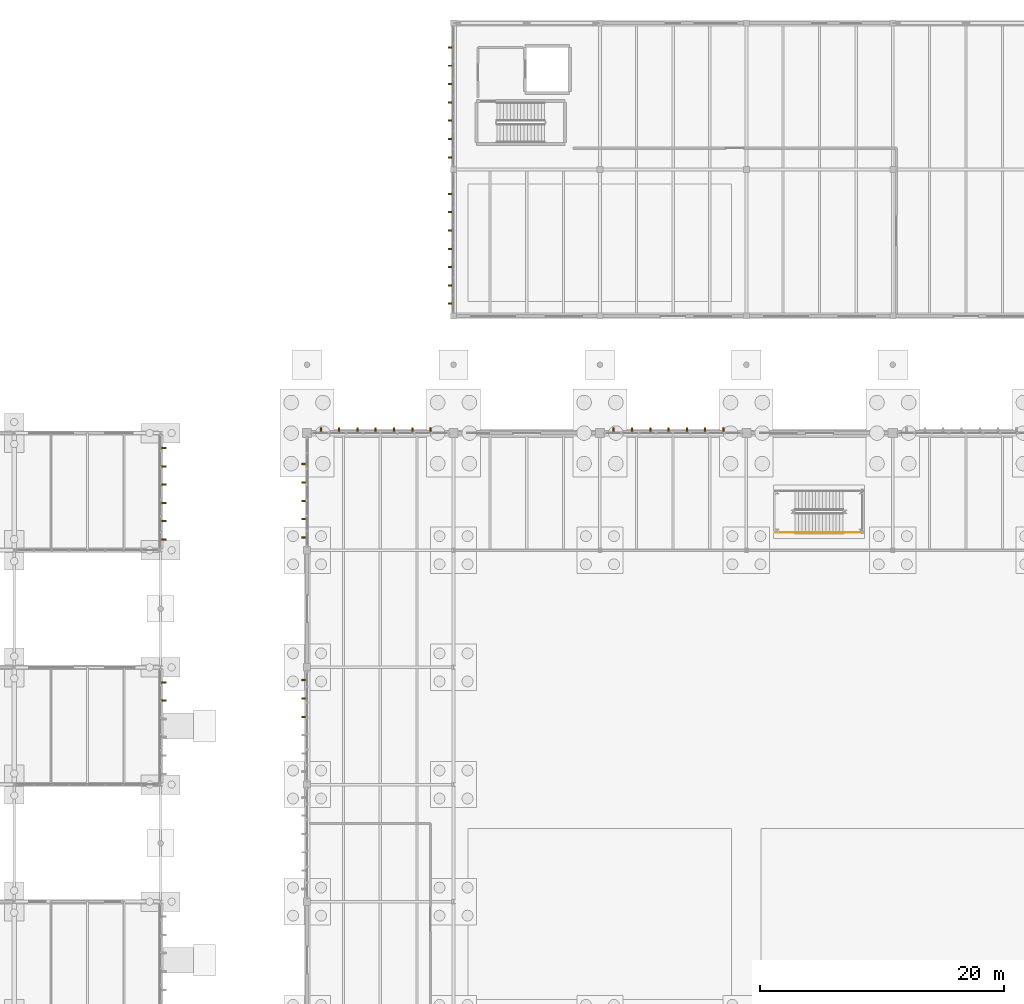
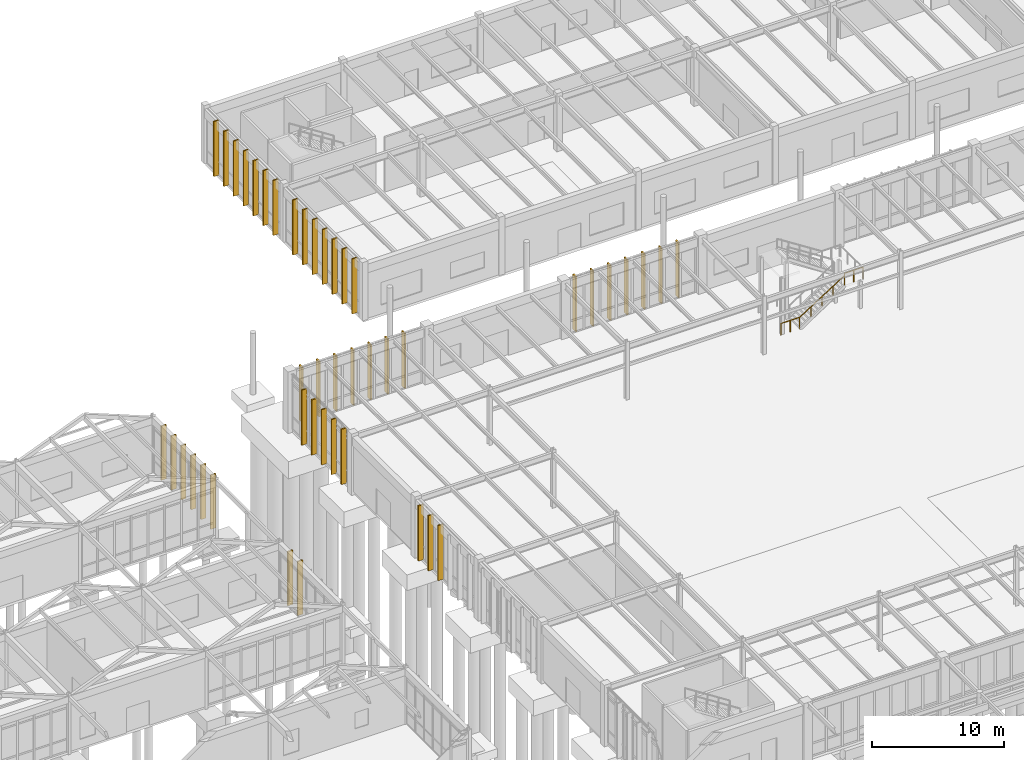
# One storey, part 177 of 188: 44 shading devices, 3 railings.
"""IFC4 building model written with IfcOpenShell, lengths in metres."""

from ifc_helpers import new_model, si_unit, direction, frame, origin, origin_2d, place, context, subcontext, project, spatial, rectangle, circle, extrude, material, type_object, element, save


model = new_model("IFC4")

# Units and contexts
model_context = context("Model", 3, precision=1e-05, world=origin(), true_north=direction((0.0, 1.0)))
body_context = subcontext(model_context, "Body", "Model", "MODEL_VIEW")
ifc_project = project(units=[si_unit("LENGTHUNIT", "METRE"), si_unit("AREAUNIT", "SQUARE_METRE"), si_unit("VOLUMEUNIT", "CUBIC_METRE"), si_unit("PLANEANGLEUNIT", "RADIAN"), si_unit("MASSUNIT", "GRAM", prefix="KILO")], contexts=[model_context])

# Site, building, storey
site_placement = place(None, origin())
site = spatial("IfcSite", under=ifc_project, at=site_placement, CompositionType="ELEMENT")
building_placement = place(site_placement, origin())
building = spatial("IfcBuilding", under=site, at=building_placement, Name="Pandanus Reach Market Hall", CompositionType="ELEMENT")
storey_placement = place(building_placement, origin())
storey = spatial("IfcBuildingStorey", under=building, at=storey_placement, Name="L00", CompositionType="ELEMENT", Elevation=0.0)

# Shading devices
ifc_material_1 = material(Name="Precast concrete S50 (50 MPa)", Category="concrete")
shading_device_type = type_object("IfcShadingDeviceType", Name="FN-S50-450", PredefinedType="JALOUSIE", material=ifc_material_1)
for number, where, z_axis, x_axis, name in (
    (1, (49.125, 86.6201171875, -0.010009765625), (0.0, 0.0, 1.0), (0.0, 1.0, 0.0), "Precast brise-soleil fin 1"),
    (2, (50.625, 86.6201171875, -0.010009765625), (0.0, 0.0, 1.0), (0.0, 1.0, 0.0), "Precast brise-soleil fin 2"),
    (3, (52.125, 86.6201171875, -0.010009765625), (0.0, 0.0, 1.0), (0.0, 1.0, 0.0), "Precast brise-soleil fin 3"),
    (4, (53.625, 86.6201171875, -0.010009765625), (0.0, 0.0, 1.0), (0.0, 1.0, 0.0), "Precast brise-soleil fin 4"),
    (5, (55.125, 86.6201171875, -0.010009765625), (0.0, 0.0, 1.0), (0.0, 1.0, 0.0), "Precast brise-soleil fin 5"),
    (6, (56.625, 86.6201171875, -0.010009765625), (0.0, 0.0, 1.0), (0.0, 1.0, 0.0), "Precast brise-soleil fin 6"),
    (7, (58.125, 86.6201171875, -0.010009765625), (0.0, 0.0, 1.0), (0.0, 1.0, 0.0), "Precast brise-soleil fin 7"),
    (8, (73.125, 86.6201171875, -0.010009765625), (0.0, 0.0, 1.0), (0.0, 1.0, 0.0), "Precast brise-soleil fin 15"),
    (9, (74.625, 86.6201171875, -0.010009765625), (0.0, 0.0, 1.0), (0.0, 1.0, 0.0), "Precast brise-soleil fin 16"),
    (10, (76.125, 86.6201171875, -0.010009765625), (0.0, 0.0, 1.0), (0.0, 1.0, 0.0), "Precast brise-soleil fin 17"),
    (11, (77.625, 86.6201171875, -0.010009765625), (0.0, 0.0, 1.0), (0.0, 1.0, 0.0), "Precast brise-soleil fin 18"),
    (12, (79.125, 86.6201171875, -0.010009765625), (0.0, 0.0, 1.0), (0.0, 1.0, 0.0), "Precast brise-soleil fin 19"),
    (13, (80.625, 86.6201171875, -0.010009765625), (0.0, 0.0, 1.0), (0.0, 1.0, 0.0), "Precast brise-soleil fin 20"),
    (14, (82.125, 86.6201171875, -0.010009765625), (0.0, 0.0, 1.0), (0.0, 1.0, 0.0), "Precast brise-soleil fin 21"),
    (15, (47.780029296875, 63.14990234375, -0.010009765625), (0.0, 0.0, 1.0), (-1.0, 0.0, 0.0), "Precast brise-soleil fin 123"),
    (16, (47.780029296875, 64.64990234375, -0.010009765625), (0.0, 0.0, 1.0), (-1.0, 0.0, 0.0), "Precast brise-soleil fin 124"),
    (17, (47.780029296875, 66.14990234375, -0.010009765625), (0.0, 0.0, 1.0), (-1.0, 0.0, 0.0), "Precast brise-soleil fin 125"),
    (18, (47.780029296875, 77.85009765625, -0.010009765625), (0.0, 0.0, 1.0), (-1.0, 0.0, 0.0), "Precast brise-soleil fin 156"),
    (19, (47.780029296875, 79.35009765625, -0.010009765625), (0.0, 0.0, 1.0), (-1.0, 0.0, 0.0), "Precast brise-soleil fin 157"),
    (20, (47.780029296875, 80.85009765625, -0.010009765625), (0.0, 0.0, 1.0), (-1.0, 0.0, 0.0), "Precast brise-soleil fin 158"),
    (21, (47.780029296875, 82.35009765625, -0.010009765625), (0.0, 0.0, 1.0), (-1.0, 0.0, 0.0), "Precast brise-soleil fin 159"),
    (22, (47.780029296875, 83.85009765625, -0.010009765625), (0.0, 0.0, 1.0), (-1.0, 0.0, 0.0), "Precast brise-soleil fin 160"),
):
    element("IfcShadingDevice", number, at=place(storey_placement, frame(where, z_axis=z_axis, x_axis=x_axis)), inside=storey, type_object=shading_device_type, Name=name, PredefinedType="JALOUSIE", context=body_context, shape_type="SweptSolid", body=[
        extrude(rectangle(XDim=0.449951171875, YDim=0.1201171875, at=origin_2d()), origin(), (0.0, 0.0, 1.0), 5.1201171875),
    ])
for number, where, z_axis, x_axis, name in (
    (23, (36.219970703125, 64.47705078125, -0.010009765625), (0.0, 0.0, 1.0), (1.0, 0.0, 0.0), "Precast brise-soleil fin 186"),
    (24, (36.219970703125, 65.97705078125, -0.010009765625), (0.0, 0.0, 1.0), (1.0, 0.0, 0.0), "Precast brise-soleil fin 187"),
    (25, (36.219970703125, 77.677001953125, -0.010009765625), (0.0, 0.0, 1.0), (1.0, 0.0, 0.0), "Precast brise-soleil fin 188"),
    (26, (36.219970703125, 79.177001953125, -0.010009765625), (0.0, 0.0, 1.0), (1.0, 0.0, 0.0), "Precast brise-soleil fin 189"),
    (27, (36.219970703125, 80.677001953125, -0.010009765625), (0.0, 0.0, 1.0), (1.0, 0.0, 0.0), "Precast brise-soleil fin 190"),
    (28, (36.219970703125, 82.177001953125, -0.010009765625), (0.0, 0.0, 1.0), (1.0, 0.0, 0.0), "Precast brise-soleil fin 191"),
    (29, (36.219970703125, 83.677001953125, -0.010009765625), (0.0, 0.0, 1.0), (1.0, 0.0, 0.0), "Precast brise-soleil fin 192"),
    (30, (36.219970703125, 85.177001953125, -0.010009765625), (0.0, 0.0, 1.0), (1.0, 0.0, 0.0), "Precast brise-soleil fin 193"),
):
    element("IfcShadingDevice", number, at=place(storey_placement, frame(where, z_axis=z_axis, x_axis=x_axis)), inside=storey, type_object=shading_device_type, Name=name, PredefinedType="JALOUSIE", context=body_context, shape_type="SweptSolid", body=[
        extrude(rectangle(XDim=0.449951171875, YDim=0.1201171875, at=origin_2d()), origin(), (0.0, 0.0, 1.0), 5.02001953125),
    ])
for number, where, z_axis, x_axis, name in (
    (31, (59.780029296875, 97.0, -0.010009765625), (0.0, 0.0, 1.0), (-1.0, 0.0, 0.0), "Precast brise-soleil fin 640"),
    (32, (59.780029296875, 98.5, -0.010009765625), (0.0, 0.0, 1.0), (-1.0, 0.0, 0.0), "Precast brise-soleil fin 641"),
    (33, (59.780029296875, 100.0, -0.010009765625), (0.0, 0.0, 1.0), (-1.0, 0.0, 0.0), "Precast brise-soleil fin 642"),
    (34, (59.780029296875, 101.5, -0.010009765625), (0.0, 0.0, 1.0), (-1.0, 0.0, 0.0), "Precast brise-soleil fin 643"),
    (35, (59.780029296875, 103.0, -0.010009765625), (0.0, 0.0, 1.0), (-1.0, 0.0, 0.0), "Precast brise-soleil fin 644"),
    (36, (59.780029296875, 104.5, -0.010009765625), (0.0, 0.0, 1.0), (-1.0, 0.0, 0.0), "Precast brise-soleil fin 645"),
    (37, (59.780029296875, 106.0, -0.010009765625), (0.0, 0.0, 1.0), (-1.0, 0.0, 0.0), "Precast brise-soleil fin 646"),
    (38, (59.780029296875, 109.0, -0.010009765625), (0.0, 0.0, 1.0), (-1.0, 0.0, 0.0), "Precast brise-soleil fin 661"),
    (39, (59.780029296875, 110.5, -0.010009765625), (0.0, 0.0, 1.0), (-1.0, 0.0, 0.0), "Precast brise-soleil fin 662"),
    (40, (59.780029296875, 112.0, -0.010009765625), (0.0, 0.0, 1.0), (-1.0, 0.0, 0.0), "Precast brise-soleil fin 663"),
    (41, (59.780029296875, 113.5, -0.010009765625), (0.0, 0.0, 1.0), (-1.0, 0.0, 0.0), "Precast brise-soleil fin 664"),
    (42, (59.780029296875, 115.0, -0.010009765625), (0.0, 0.0, 1.0), (-1.0, 0.0, 0.0), "Precast brise-soleil fin 665"),
    (43, (59.780029296875, 116.5, -0.010009765625), (0.0, 0.0, 1.0), (-1.0, 0.0, 0.0), "Precast brise-soleil fin 666"),
    (44, (59.780029296875, 118.0, -0.010009765625), (0.0, 0.0, 1.0), (-1.0, 0.0, 0.0), "Precast brise-soleil fin 667"),
):
    element("IfcShadingDevice", number, at=place(storey_placement, frame(where, z_axis=z_axis, x_axis=x_axis)), inside=storey, type_object=shading_device_type, Name=name, PredefinedType="JALOUSIE", context=body_context, shape_type="SweptSolid", body=[
        extrude(rectangle(XDim=0.449951171875, YDim=0.1201171875, at=origin_2d()), origin(), (0.0, 0.0, 1.0), 5.10009765625),
    ])

# Railings
ifc_material_2 = material(Name="Galvanised steel Grade 350 (350 MPa)", Category="steel")
railing_type_1 = type_object("IfcRailingType", Name="GR-INT-110", PredefinedType="GUARDRAIL", material=ifc_material_2)
railing_1_placement = place(storey_placement, frame((91.919921875, 78.25, 2.699951171875)))
element("IfcRailing", 45, at=railing_1_placement, inside=storey, type_object=railing_type_1, Name="Stair guard ST-09 L00.149", PredefinedType="GUARDRAIL", context=body_context, shape_type="SweptSolid", body=[
    extrude(circle(Radius=0.02392578125, at=origin_2d()), frame((0.0, 0.0, 1.076171875), z_axis=(1.0, 0.0, 0.0), x_axis=(0.0, 1.0, 0.0)), (0.0, 0.0, 1.0), 1.650146484375),
    extrude(circle(Radius=0.02099609375, at=origin_2d()), origin(), (0.0, 0.0, 1.0), 1.052001953125),
    extrude(circle(Radius=0.02099609375, at=origin_2d()), frame((0.8251953125, 0.0, 0.0)), (0.0, 0.0, 1.0), 1.052001953125),
    extrude(circle(Radius=0.02099609375, at=origin_2d()), frame((1.650146484375, 0.0, 0.0)), (0.0, 0.0, 1.0), 1.052001953125),
])
railing_2_placement = place(storey_placement, frame((86.35009765625, 78.25, 0.0)))
element("IfcRailing", 46, at=railing_2_placement, inside=storey, type_object=railing_type_1, Name="Stair guard ST-09 L00.154", PredefinedType="GUARDRAIL", context=body_context, shape_type="SweptSolid", body=[
    extrude(circle(Radius=0.02392578125, at=origin_2d()), frame((0.0, 0.0, 1.076171875), z_axis=(1.0, 0.0, 0.0), x_axis=(0.0, 1.0, 0.0)), (0.0, 0.0, 1.0), 1.64990234375),
    extrude(circle(Radius=0.02099609375, at=origin_2d()), origin(), (0.0, 0.0, 1.0), 1.052001953125),
    extrude(circle(Radius=0.02099609375, at=origin_2d()), frame((0.824951171875, 0.0, 0.0)), (0.0, 0.0, 1.0), 1.052001953125),
    extrude(circle(Radius=0.02099609375, at=origin_2d()), frame((1.64990234375, 0.0, 0.0)), (0.0, 0.0, 1.0), 1.052001953125),
])
ifc_material_3 = material(Name="Brushed stainless steel", Category="steel")
railing_type_2 = type_object("IfcRailingType", Name="HR-WAL-090", PredefinedType="HANDRAIL", material=ifc_material_3)
railing_3_placement = place(storey_placement, frame((88.0, 78.25, 0.179931640625)))
element("IfcRailing", 47, at=railing_3_placement, inside=storey, type_object=railing_type_2, Name="Stair handrail ST-09 L00.156", PredefinedType="HANDRAIL", context=body_context, shape_type="SweptSolid", body=[
    extrude(circle(Radius=0.02392578125, at=origin_2d()), frame((0.0, 0.0, 0.8759765625), z_axis=(0.841171666519, 0.0, 0.540768182723), x_axis=(0.0, 1.0, 0.0)), (0.0, 0.0, 1.0), 4.66015625),
    extrude(circle(Radius=0.02099609375, at=origin_2d()), origin(), (0.0, 0.0, 1.0), 0.851806640625),
    extrude(circle(Radius=0.02099609375, at=origin_2d()), frame((0.97998046875, 0.0, 0.6298828125)), (0.0, 0.0, 1.0), 0.851806640625),
    extrude(circle(Radius=0.02099609375, at=origin_2d()), frame((1.9599609375, 0.0, 1.260009765625)), (0.0, 0.0, 1.0), 0.851806640625),
    extrude(circle(Radius=0.02099609375, at=origin_2d()), frame((2.93994140625, 0.0, 1.89013671875)), (0.0, 0.0, 1.0), 0.851806640625),
    extrude(circle(Radius=0.02099609375, at=origin_2d()), frame((3.919921875, 0.0, 2.52001953125)), (0.0, 0.0, 1.0), 0.851806640625),
])

save(model, "model.ifc")
